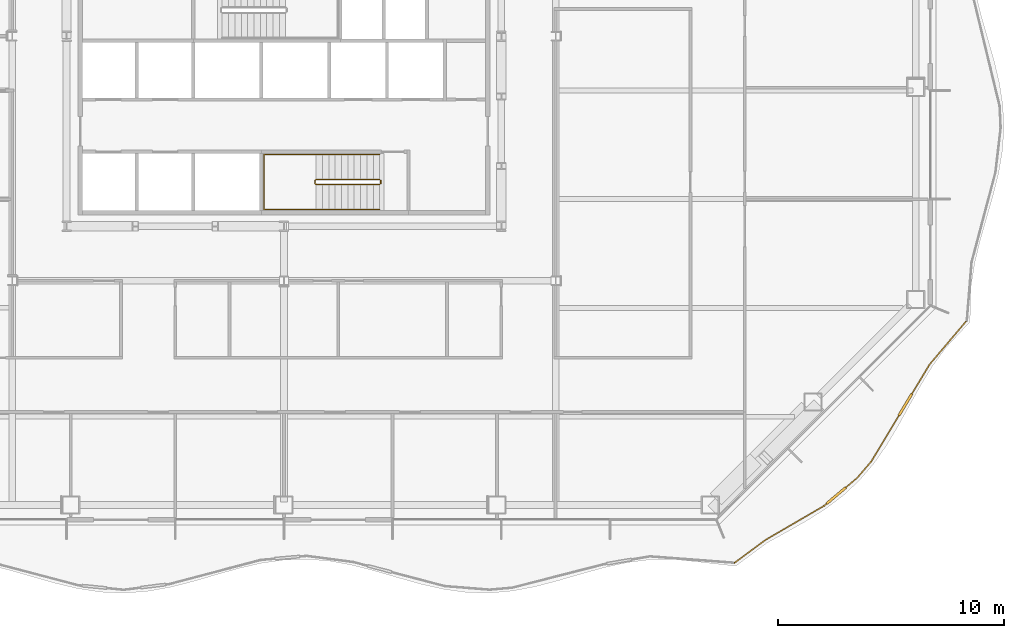
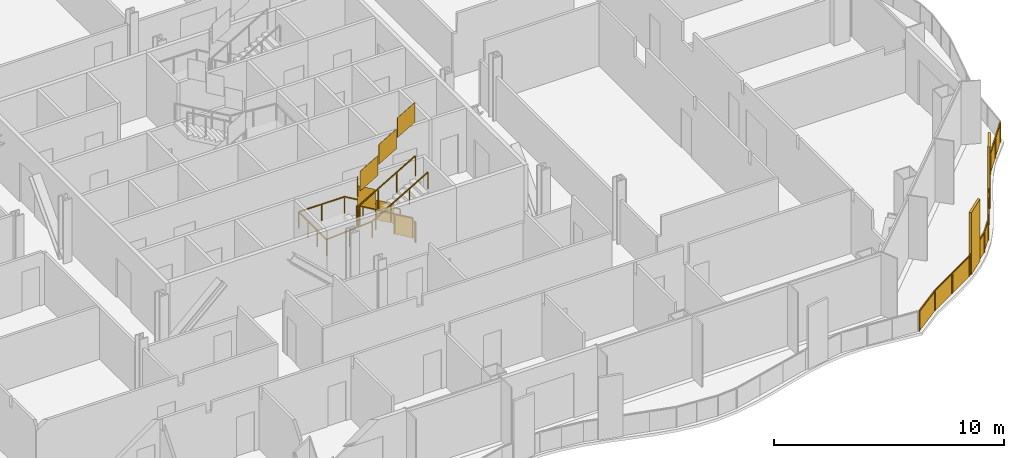
# One storey, part 19 of 23: 4 railings.
"""IFC4 building model written with IfcOpenShell, lengths in metres."""

from ifc_helpers import new_model, si_unit, direction, frame, origin, origin_2d, place, context, subcontext, project, spatial, polyline, rectangle, outline, extrude, material, type_object, element, save


model = new_model("IFC4")

# Units and contexts
model_context = context("Model", 3, precision=1e-05, world=origin(), true_north=direction((0.0, 1.0)))
body_context = subcontext(model_context, "Body", "Model", "MODEL_VIEW")
ifc_project = project(units=[si_unit("LENGTHUNIT", "METRE"), si_unit("AREAUNIT", "SQUARE_METRE"), si_unit("VOLUMEUNIT", "CUBIC_METRE"), si_unit("PLANEANGLEUNIT", "RADIAN"), si_unit("MASSUNIT", "GRAM", prefix="KILO")], contexts=[model_context])

# Site, building, storey
site_placement = place(None, origin())
site = spatial("IfcSite", under=ifc_project, at=site_placement, CompositionType="ELEMENT")
building_placement = place(site_placement, origin())
building = spatial("IfcBuilding", under=site, at=building_placement, Name="Cairn Pilgrim Tower", CompositionType="ELEMENT")
storey_placement = place(building_placement, frame((0.0, 0.0, 115.800048828125)))
storey = spatial("IfcBuildingStorey", under=building, at=storey_placement, Name="L28", CompositionType="ELEMENT", Elevation=115.800048828125)

# Railings
ifc_material_1 = material(Name="Bronze anodised aluminium rail, posts and fin screens with laminated glass infill", Category="aluminium")
railing_type_1 = type_object("IfcRailingType", Name="BALCONY GUARD WITH FIN SCREENS", PredefinedType="GUARDRAIL", material=ifc_material_1)
railing_1_placement = place(storey_placement, frame((27.10498046875, -20.85546875, 0.0)))
element("IfcRailing", 1, at=railing_1_placement, inside=storey, type_object=railing_type_1, Name="Balcony guard BGF-2 with fin screens", PredefinedType="GUARDRAIL", context=body_context, shape_type="SweptSolid", body=[
    extrude(rectangle(XDim=0.050048828125, YDim=0.050048828125, at=origin_2d()), frame((0.0, 0.0, 1.0751953125), z_axis=(0.803881944571, 0.594788886238, 0.0), x_axis=(-0.594788886238, 0.803881944571, 0.0)), (0.0, 0.0, 1.0), 1.690673828125),
    extrude(rectangle(XDim=0.050048828125, YDim=0.050048828125, at=origin_2d()), frame((1.359130859375, 1.005615234375, 1.0751953125), z_axis=(0.864320719994, 0.502941043253, 0.0), x_axis=(-0.502941043253, 0.864320719994, 0.0)), (0.0, 0.0, 1.0), 3.00439453125),
    extrude(rectangle(XDim=1.10009765625, YDim=0.110107421875, at=origin_2d()), frame((4.490234375, 2.968505859375, 0.0), z_axis=(0.0, 0.0, 1.0), x_axis=(0.76350197981, 0.645805486835, 0.0)), (0.0, 0.0, 1.0), 3.300048828125),
    extrude(rectangle(XDim=0.050048828125, YDim=0.050048828125, at=origin_2d()), frame((3.955810546875, 2.5166015625, 1.0751953125), z_axis=(0.76350197981, 0.645805486835, 0.0), x_axis=(-0.645805486835, 0.76350197981, 0.0)), (0.0, 0.0, 1.0), 0.14990234375),
    extrude(rectangle(XDim=0.050048828125, YDim=0.050048828125, at=origin_2d()), frame((4.91015625, 3.32373046875, 1.0751953125), z_axis=(0.76350197981, 0.645805486835, 0.0), x_axis=(-0.645805486835, 0.76350197981, 0.0)), (0.0, 0.0, 1.0), 0.6708984375),
    extrude(rectangle(XDim=0.050048828125, YDim=0.050048828125, at=origin_2d()), frame((5.42236328125, 3.757080078125, 1.0751953125), z_axis=(0.648604602587, 0.761125528085, 0.0), x_axis=(-0.761125528085, 0.648604602587, 0.0)), (0.0, 0.0, 1.0), 0.9482421875),
    extrude(rectangle(XDim=1.10009765625, YDim=0.110107421875, at=origin_2d()), frame((7.539794921875, 6.977783203125, 0.0), z_axis=(0.0, 0.0, 1.0), x_axis=(0.515228467173, 0.857052872706, 0.0)), (0.0, 0.0, 1.0), 3.300048828125),
    extrude(rectangle(XDim=0.050048828125, YDim=0.050048828125, at=origin_2d()), frame((6.037353515625, 4.478759765625, 1.0751953125), z_axis=(0.515228467173, 0.857052872706, 0.0), x_axis=(-0.857052872706, 0.515228467173, 0.0)), (0.0, 0.0, 1.0), 2.365966796875),
    extrude(rectangle(XDim=0.050048828125, YDim=0.050048828125, at=origin_2d()), frame((7.822998046875, 7.44921875, 1.0751953125), z_axis=(0.515228467173, 0.857052872706, 0.0), x_axis=(-0.857052872706, 0.515228467173, 0.0)), (0.0, 0.0, 1.0), 1.53076171875),
    extrude(rectangle(XDim=0.050048828125, YDim=0.050048828125, at=origin_2d()), frame((8.61181640625, 8.76123046875, 1.0751953125), z_axis=(0.646415558326, 0.762985534564, 0.0), x_axis=(-0.762985534564, 0.646415558326, 0.0)), (0.0, 0.0, 1.0), 2.473388671875),
    extrude(rectangle(XDim=0.050048828125, YDim=0.050048828125, at=origin_2d()), origin(), (0.0, 0.0, 1.0), 1.050048828125),
    extrude(rectangle(XDim=0.050048828125, YDim=0.050048828125, at=origin_2d()), frame((1.359130859375, 1.005615234375, 0.0)), (0.0, 0.0, 1.0), 1.050048828125),
    extrude(rectangle(XDim=0.050048828125, YDim=0.050048828125, at=origin_2d()), frame((2.657470703125, 1.76123046875, 0.0)), (0.0, 0.0, 1.0), 1.050048828125),
    extrude(rectangle(XDim=0.050048828125, YDim=0.050048828125, at=origin_2d()), frame((3.955810546875, 2.5166015625, 0.0)), (0.0, 0.0, 1.0), 1.050048828125),
    extrude(rectangle(XDim=0.050048828125, YDim=0.050048828125, at=origin_2d()), frame((4.051025390625, 2.59716796875, 0.0)), (0.0, 0.0, 1.0), 1.050048828125),
    extrude(rectangle(XDim=0.050048828125, YDim=0.050048828125, at=origin_2d()), frame((4.92919921875, 3.33984375, 0.0)), (0.0, 0.0, 1.0), 1.050048828125),
    extrude(rectangle(XDim=0.050048828125, YDim=0.050048828125, at=origin_2d()), frame((5.42236328125, 3.757080078125, 0.0)), (0.0, 0.0, 1.0), 1.050048828125),
    extrude(rectangle(XDim=0.050048828125, YDim=0.050048828125, at=origin_2d()), frame((6.037353515625, 4.478759765625, 0.0)), (0.0, 0.0, 1.0), 1.050048828125),
    extrude(rectangle(XDim=0.050048828125, YDim=0.050048828125, at=origin_2d()), frame((6.640380859375, 5.48193359375, 0.0)), (0.0, 0.0, 1.0), 1.050048828125),
    extrude(rectangle(XDim=0.050048828125, YDim=0.050048828125, at=origin_2d()), frame((7.243408203125, 6.485107421875, 0.0)), (0.0, 0.0, 1.0), 1.050048828125),
    extrude(rectangle(XDim=0.050048828125, YDim=0.050048828125, at=origin_2d()), frame((7.8359375, 7.470703125, 0.0)), (0.0, 0.0, 1.0), 1.050048828125),
    extrude(rectangle(XDim=0.050048828125, YDim=0.050048828125, at=origin_2d()), frame((8.61181640625, 8.76123046875, 0.0)), (0.0, 0.0, 1.0), 1.050048828125),
    extrude(rectangle(XDim=0.050048828125, YDim=0.050048828125, at=origin_2d()), frame((9.4111328125, 9.704833984375, 0.0)), (0.0, 0.0, 1.0), 1.050048828125),
    extrude(rectangle(XDim=0.050048828125, YDim=0.050048828125, at=origin_2d()), frame((10.210693359375, 10.6484375, 0.0)), (0.0, 0.0, 1.0), 1.050048828125),
    extrude(outline(polyline([(0.02490234375, 0.0), (1.665771484375, 0.0), (1.665771484375, 1.050048828125), (0.02490234375, 1.050048828125), (0.02490234375, 0.0)])), frame((-0.003662109375, 0.0048828125, 0.0), z_axis=(0.594788886238, -0.803881944571, 0.0), x_axis=(0.803881944571, 0.594788886238, 0.0)), (0.0, 0.0, 1.0), 0.011962890625),
    extrude(outline(polyline([(0.02490234375, 0.0), (1.47705078125, 0.0), (1.47705078125, 1.050048828125), (0.02490234375, 1.050048828125), (0.02490234375, 0.0)])), frame((1.356201171875, 1.0107421875, 0.0), z_axis=(0.502941043253, -0.864320719994, 0.0), x_axis=(0.864320719994, 0.502941043253, 0.0)), (0.0, 0.0, 1.0), 0.011962890625),
    extrude(outline(polyline([(0.02490234375, 0.0), (1.47705078125, 0.0), (1.47705078125, 1.050048828125), (0.02490234375, 1.050048828125), (0.02490234375, 0.0)])), frame((2.654541015625, 1.766357421875, 0.0), z_axis=(0.502941043253, -0.864320719994, 0.0), x_axis=(0.864320719994, 0.502941043253, 0.0)), (0.0, 0.0, 1.0), 0.011962890625),
    extrude(outline(polyline([(0.02490234375, 0.0), (0.099853515625, 0.0), (0.099853515625, 1.050048828125), (0.02490234375, 1.050048828125), (0.02490234375, 0.0)])), frame((3.951904296875, 2.521240234375, 0.0), z_axis=(0.645805486835, -0.76350197981, 0.0), x_axis=(0.76350197981, 0.645805486835, 0.0)), (0.0, 0.0, 1.0), 0.011962890625),
    extrude(outline(polyline([(0.02490234375, 0.0), (0.620849609375, 0.0), (0.620849609375, 1.050048828125), (0.02490234375, 1.050048828125), (0.02490234375, 0.0)])), frame((4.92529296875, 3.344482421875, 0.0), z_axis=(0.645805486835, -0.76350197981, 0.0), x_axis=(0.76350197981, 0.645805486835, 0.0)), (0.0, 0.0, 1.0), 0.011962890625),
    extrude(outline(polyline([(0.02490234375, 0.0), (0.923095703125, 0.0), (0.923095703125, 1.050048828125), (0.02490234375, 1.050048828125), (0.02490234375, 0.0)])), frame((5.417724609375, 3.760986328125, 0.0), z_axis=(0.761125528085, -0.648604602587, 0.0), x_axis=(0.648604602587, 0.761125528085, 0.0)), (0.0, 0.0, 1.0), 0.011962890625),
    extrude(outline(polyline([(0.02490234375, 0.0), (1.1455078125, 0.0), (1.1455078125, 1.050048828125), (0.02490234375, 1.050048828125), (0.02490234375, 0.0)])), frame((6.0322265625, 4.48193359375, 0.0), z_axis=(0.857052872706, -0.515228467173, 0.0), x_axis=(0.515228467173, 0.857052872706, 0.0)), (0.0, 0.0, 1.0), 0.011962890625),
    extrude(outline(polyline([(0.02490234375, 0.0), (1.1455078125, 0.0), (1.1455078125, 1.050048828125), (0.02490234375, 1.050048828125), (0.02490234375, 0.0)])), frame((6.63525390625, 5.48486328125, 0.0), z_axis=(0.857052872706, -0.515228467173, 0.0), x_axis=(0.515228467173, 0.857052872706, 0.0)), (0.0, 0.0, 1.0), 0.011962890625),
    extrude(outline(polyline([(0.02490234375, 0.0), (1.480712890625, 0.0), (1.480712890625, 1.050048828125), (0.02490234375, 1.050048828125), (0.02490234375, 0.0)])), frame((7.830810546875, 7.4736328125, 0.0), z_axis=(0.857052872706, -0.515228467173, 0.0), x_axis=(0.515228467173, 0.857052872706, 0.0)), (0.0, 0.0, 1.0), 0.011962890625),
    extrude(outline(polyline([(0.02490234375, 0.0), (1.211669921875, 0.0), (1.211669921875, 1.050048828125), (0.02490234375, 1.050048828125), (0.02490234375, 0.0)])), frame((8.607177734375, 8.76513671875, 0.0), z_axis=(0.762985534564, -0.646415558326, 0.0), x_axis=(0.646415558326, 0.762985534564, 0.0)), (0.0, 0.0, 1.0), 0.011962890625),
    extrude(outline(polyline([(0.02490234375, 0.0), (1.211669921875, 0.0), (1.211669921875, 1.050048828125), (0.02490234375, 1.050048828125), (0.02490234375, 0.0)])), frame((9.40673828125, 9.708740234375, 0.0), z_axis=(0.762985534564, -0.646415558326, 0.0), x_axis=(0.646415558326, 0.762985534564, 0.0)), (0.0, 0.0, 1.0), 0.011962890625),
])
ifc_material_2 = material(Name="Painted steel", Category="steel")
railing_type_2 = type_object("IfcRailingType", Name="STAIR GUARD 1100", PredefinedType="GUARDRAIL", material=ifc_material_2)
railing_2_placement = place(storey_placement, frame((11.425048828125, -3.925048828125, 0.16357421875)))
element("IfcRailing", 2, at=railing_2_placement, inside=storey, type_object=railing_type_2, Name="L28 ST-A stair guard 1", PredefinedType="GUARDRAIL", context=body_context, shape_type="SweptSolid", body=[
    extrude(rectangle(XDim=0.048095703125, YDim=0.048095703125, at=origin_2d()), frame((0.0, 0.0, 1.076171875), z_axis=(-0.863360870873, 0.0, 0.504586966384), x_axis=(0.0, -1.0, 0.0)), (0.0, 0.0, 1.0), 3.2431640625),
    extrude(rectangle(XDim=0.048095703125, YDim=0.048095703125, at=origin_2d()), frame((-2.800048828125, 0.0, 2.71240234375), z_axis=(-0.707106781187, -0.707106781187, 0.0), x_axis=(0.707106781187, -0.707106781187, 0.0)), (0.0, 0.0, 1.0), 0.07080078125),
    extrude(rectangle(XDim=0.048095703125, YDim=0.048095703125, at=origin_2d()), frame((-2.85009765625, -0.050048828125, 2.71240234375), z_axis=(0.0, -1.0, 0.0), x_axis=(1.0, 0.0, 0.0)), (0.0, 0.0, 1.0), 0.125),
    extrude(rectangle(XDim=0.048095703125, YDim=0.048095703125, at=origin_2d()), frame((-2.85009765625, -0.175048828125, 2.71240234375), z_axis=(0.280916556609, -0.279546231943, 0.91811752648), x_axis=(0.705375805398, 0.708833529934, 0.0)), (0.0, 0.0, 1.0), 0.17822265625),
    extrude(rectangle(XDim=0.048095703125, YDim=0.048095703125, at=origin_2d()), frame((-2.800048828125, -0.224853515625, 2.8759765625), z_axis=(0.863393664356, 0.0, 0.504530851732), x_axis=(0.0, 1.0, 0.0)), (0.0, 0.0, 1.0), 3.2431640625),
    extrude(rectangle(XDim=0.0419921875, YDim=0.0419921875, at=origin_2d()), origin(), (0.0, 0.0, 1.0), 1.052001953125),
    extrude(rectangle(XDim=0.0419921875, YDim=0.0419921875, at=origin_2d()), frame((-0.933349609375, 0.0, 0.54541015625)), (0.0, 0.0, 1.0), 1.052001953125),
    extrude(rectangle(XDim=0.0419921875, YDim=0.0419921875, at=origin_2d()), frame((-1.86669921875, 0.0, 1.091064453125)), (0.0, 0.0, 1.0), 1.052001953125),
    extrude(rectangle(XDim=0.0419921875, YDim=0.0419921875, at=origin_2d()), frame((-2.800048828125, 0.0, 1.636474609375)), (0.0, 0.0, 1.0), 1.052001953125),
    extrude(rectangle(XDim=0.0419921875, YDim=0.0419921875, at=origin_2d()), frame((-2.85009765625, -0.050048828125, 1.636474609375)), (0.0, 0.0, 1.0), 1.052001953125),
    extrude(rectangle(XDim=0.0419921875, YDim=0.0419921875, at=origin_2d()), frame((-2.85009765625, -0.175048828125, 1.636474609375)), (0.0, 0.0, 1.0), 1.052001953125),
    extrude(rectangle(XDim=0.0419921875, YDim=0.0419921875, at=origin_2d()), frame((-2.800048828125, -0.224853515625, 1.800048828125)), (0.0, 0.0, 1.0), 1.052001953125),
    extrude(rectangle(XDim=0.0419921875, YDim=0.0419921875, at=origin_2d()), frame((-1.86669921875, -0.224853515625, 2.345458984375)), (0.0, 0.0, 1.0), 1.052001953125),
    extrude(rectangle(XDim=0.0419921875, YDim=0.0419921875, at=origin_2d()), frame((-0.933349609375, -0.224853515625, 2.890869140625)), (0.0, 0.0, 1.0), 1.052001953125),
    extrude(rectangle(XDim=0.0419921875, YDim=0.0419921875, at=origin_2d()), frame((0.0, -0.224853515625, 3.436279296875)), (0.0, 0.0, 1.0), 1.052001953125),
    extrude(outline(polyline([(0.02099609375, 0.01220703125), (0.912353515625, 0.533203125), (0.912353515625, 1.585205078125), (0.02099609375, 1.064208984375), (0.02099609375, 0.01220703125)])), frame((0.0, -0.005859375, 0.0), z_axis=(0.0, 1.0, 0.0), x_axis=(-1.0, 0.0, 0.0)), (0.0, 0.0, 1.0), 0.011962890625),
    extrude(outline(polyline([(0.02099609375, 0.557861328125), (0.912353515625, 1.07861328125), (0.912353515625, 2.130615234375), (0.02099609375, 1.60986328125), (0.02099609375, 0.557861328125)])), frame((-0.933349609375, -0.005859375, 0.54541015625), z_axis=(0.0, 1.0, 0.0), x_axis=(-1.0, 0.0, 0.0)), (0.0, 0.0, 1.0), 0.011962890625),
    extrude(outline(polyline([(0.02099609375, 1.103271484375), (0.912353515625, 1.624267578125), (0.912353515625, 2.67626953125), (0.02099609375, 2.1552734375), (0.02099609375, 1.103271484375)])), frame((-1.86669921875, -0.005859375, 1.091064453125), z_axis=(0.0, 1.0, 0.0), x_axis=(-1.0, 0.0, 0.0)), (0.0, 0.0, 1.0), 0.011962890625),
    extrude(outline(polyline([(0.02099609375, 1.636474609375), (0.10400390625, 1.636474609375), (0.10400390625, 2.6884765625), (0.02099609375, 2.6884765625), (0.02099609375, 1.636474609375)])), frame((-2.84423828125, -0.050048828125, 1.636474609375), z_axis=(-1.0, 0.0, 0.0), x_axis=(0.0, -1.0, 0.0)), (0.0, 0.0, 1.0), 0.011962890625),
    extrude(outline(polyline([(0.02099609375, 1.812255859375), (0.912353515625, 2.333251953125), (0.912353515625, 3.38525390625), (0.02099609375, 2.8642578125), (0.02099609375, 1.812255859375)])), frame((-2.800048828125, -0.21875, 1.800048828125), z_axis=(0.0, -1.0, 0.0), x_axis=(1.0, 0.0, 0.0)), (0.0, 0.0, 1.0), 0.011962890625),
    extrude(outline(polyline([(0.02099609375, 2.357666015625), (0.912353515625, 2.878662109375), (0.912353515625, 3.9306640625), (0.02099609375, 3.40966796875), (0.02099609375, 2.357666015625)])), frame((-1.86669921875, -0.21875, 2.345458984375), z_axis=(0.0, -1.0, 0.0), x_axis=(1.0, 0.0, 0.0)), (0.0, 0.0, 1.0), 0.011962890625),
    extrude(outline(polyline([(0.02099609375, 2.903076171875), (0.912353515625, 3.424072265625), (0.912353515625, 4.47607421875), (0.02099609375, 3.955078125), (0.02099609375, 2.903076171875)])), frame((-0.933349609375, -0.21875, 2.890869140625), z_axis=(0.0, -1.0, 0.0), x_axis=(1.0, 0.0, 0.0)), (0.0, 0.0, 1.0), 0.011962890625),
])
railing_3_placement = place(storey_placement, frame((11.47509765625, -3.97509765625, 0.0)))
element("IfcRailing", 3, at=railing_3_placement, inside=storey, type_object=railing_type_2, Name="L28 ST-A stair guard 2", PredefinedType="GUARDRAIL", context=body_context, shape_type="SweptSolid", body=[
    extrude(rectangle(XDim=0.048095703125, YDim=0.048095703125, at=origin_2d()), frame((0.0, 0.0, 1.076171875), z_axis=(0.0, -1.0, 0.0), x_axis=(1.0, 0.0, 0.0)), (0.0, 0.0, 1.0), 0.125),
    extrude(rectangle(XDim=0.0419921875, YDim=0.0419921875, at=origin_2d()), origin(), (0.0, 0.0, 1.0), 1.052001953125),
    extrude(rectangle(XDim=0.0419921875, YDim=0.0419921875, at=origin_2d()), frame((0.0, -0.125, 0.0)), (0.0, 0.0, 1.0), 1.052001953125),
    extrude(outline(polyline([(0.02099609375, 0.0), (0.10400390625, 0.0), (0.10400390625, 1.052001953125), (0.02099609375, 1.052001953125), (0.02099609375, 0.0)])), frame((0.005859375, 0.0, 0.0), z_axis=(-1.0, 0.0, 0.0), x_axis=(0.0, -1.0, 0.0)), (0.0, 0.0, 1.0), 0.011962890625),
])
railing_type_3 = type_object("IfcRailingType", Name="STAIR HANDRAIL 900", PredefinedType="HANDRAIL", material=ifc_material_2)
railing_4_placement = place(storey_placement, frame((11.425048828125, -2.824951171875, 0.16357421875)))
element("IfcRailing", 4, at=railing_4_placement, inside=storey, type_object=railing_type_3, Name="L28 ST-A stair handrail 1", PredefinedType="HANDRAIL", context=body_context, shape_type="SweptSolid", body=[
    extrude(rectangle(XDim=0.048095703125, YDim=0.048095703125, at=origin_2d()), frame((0.0, 0.0, 0.8759765625), z_axis=(-0.863360870873, 0.0, 0.504586966384), x_axis=(0.0, -1.0, 0.0)), (0.0, 0.0, 1.0), 3.2431640625),
    extrude(rectangle(XDim=0.048095703125, YDim=0.048095703125, at=origin_2d()), frame((-2.800048828125, 0.0, 2.51220703125), z_axis=(-1.0, 0.0, 0.0), x_axis=(0.0, -1.0, 0.0)), (0.0, 0.0, 1.0), 2.300048828125),
    extrude(rectangle(XDim=0.048095703125, YDim=0.048095703125, at=origin_2d()), frame((-5.10009765625, 0.0, 2.51220703125), z_axis=(0.0, -1.0, 0.0), x_axis=(1.0, 0.0, 0.0)), (0.0, 0.0, 1.0), 2.425048828125),
    extrude(rectangle(XDim=0.048095703125, YDim=0.048095703125, at=origin_2d()), frame((-5.10009765625, -2.425048828125, 2.51220703125), z_axis=(0.997480687736, 0.0, 0.070938548008), x_axis=(0.0, 1.0, 0.0)), (0.0, 0.0, 1.0), 2.305908203125),
    extrude(rectangle(XDim=0.048095703125, YDim=0.048095703125, at=origin_2d()), frame((-2.800048828125, -2.425048828125, 2.67578125), z_axis=(0.863393664356, 0.0, 0.504530851732), x_axis=(0.0, 1.0, 0.0)), (0.0, 0.0, 1.0), 3.2431640625),
    extrude(rectangle(XDim=0.0419921875, YDim=0.0419921875, at=origin_2d()), origin(), (0.0, 0.0, 1.0), 0.851806640625),
    extrude(rectangle(XDim=0.0419921875, YDim=0.0419921875, at=origin_2d()), frame((-0.933349609375, 0.0, 0.54541015625)), (0.0, 0.0, 1.0), 0.851806640625),
    extrude(rectangle(XDim=0.0419921875, YDim=0.0419921875, at=origin_2d()), frame((-1.86669921875, 0.0, 1.091064453125)), (0.0, 0.0, 1.0), 0.851806640625),
    extrude(rectangle(XDim=0.0419921875, YDim=0.0419921875, at=origin_2d()), frame((-2.800048828125, 0.0, 1.636474609375)), (0.0, 0.0, 1.0), 0.851806640625),
    extrude(rectangle(XDim=0.0419921875, YDim=0.0419921875, at=origin_2d()), frame((-3.9501953125, 0.0, 1.636474609375)), (0.0, 0.0, 1.0), 0.851806640625),
    extrude(rectangle(XDim=0.0419921875, YDim=0.0419921875, at=origin_2d()), frame((-5.10009765625, 0.0, 1.636474609375)), (0.0, 0.0, 1.0), 0.851806640625),
    extrude(rectangle(XDim=0.0419921875, YDim=0.0419921875, at=origin_2d()), frame((-5.10009765625, -0.808349609375, 1.636474609375)), (0.0, 0.0, 1.0), 0.851806640625),
    extrude(rectangle(XDim=0.0419921875, YDim=0.0419921875, at=origin_2d()), frame((-5.10009765625, -1.61669921875, 1.636474609375)), (0.0, 0.0, 1.0), 0.851806640625),
    extrude(rectangle(XDim=0.0419921875, YDim=0.0419921875, at=origin_2d()), frame((-5.10009765625, -2.425048828125, 1.636474609375)), (0.0, 0.0, 1.0), 0.851806640625),
    extrude(rectangle(XDim=0.0419921875, YDim=0.0419921875, at=origin_2d()), frame((-3.9501953125, -2.425048828125, 1.71826171875)), (0.0, 0.0, 1.0), 0.851806640625),
    extrude(rectangle(XDim=0.0419921875, YDim=0.0419921875, at=origin_2d()), frame((-2.800048828125, -2.425048828125, 1.800048828125)), (0.0, 0.0, 1.0), 0.851806640625),
    extrude(rectangle(XDim=0.0419921875, YDim=0.0419921875, at=origin_2d()), frame((-1.86669921875, -2.425048828125, 2.345458984375)), (0.0, 0.0, 1.0), 0.851806640625),
    extrude(rectangle(XDim=0.0419921875, YDim=0.0419921875, at=origin_2d()), frame((-0.933349609375, -2.425048828125, 2.890869140625)), (0.0, 0.0, 1.0), 0.851806640625),
    extrude(rectangle(XDim=0.0419921875, YDim=0.0419921875, at=origin_2d()), frame((0.0, -2.425048828125, 3.436279296875)), (0.0, 0.0, 1.0), 0.851806640625),
])

save(model, "model.ifc")
